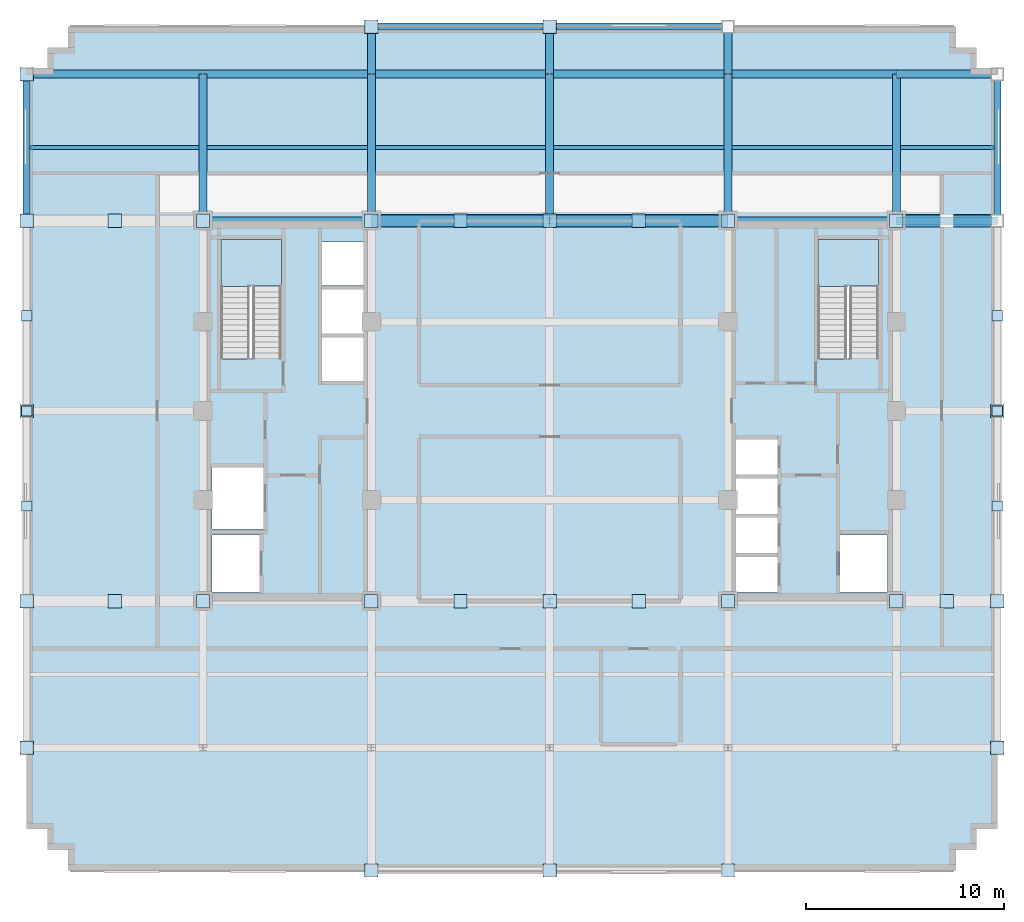
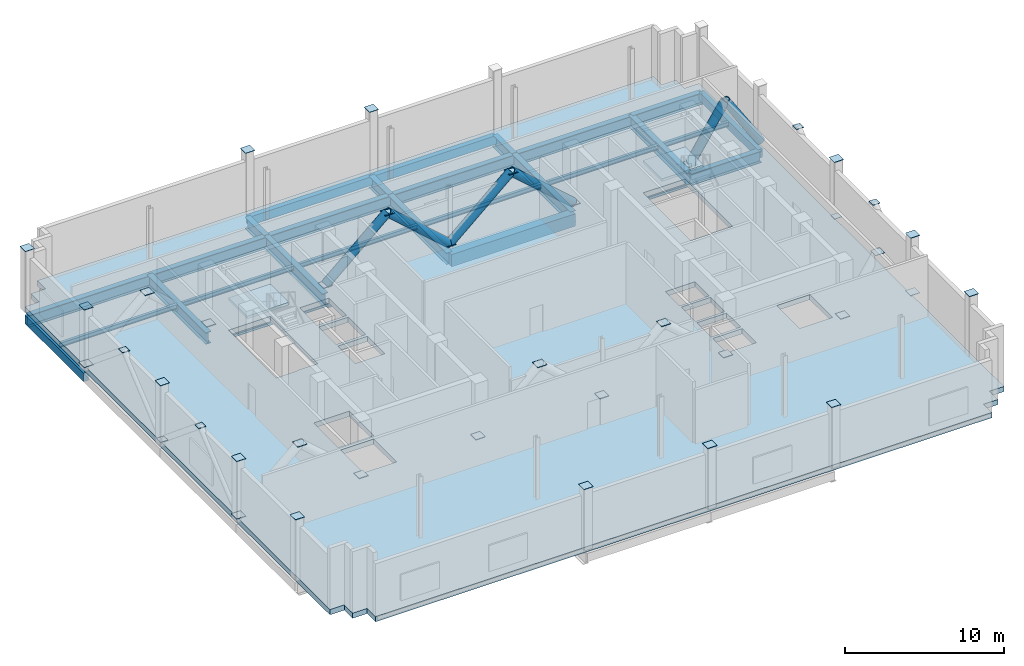
# One storey, part 6 of 13: 39 plates, 29 beams, 6 members, 3 slabs, 2 elements without a shape of their own.
"""IFC4 building model written with IfcOpenShell, lengths in metres."""

import ifcopenshell
import ifcopenshell.guid

model = None  # the IFC model being written
_history = None  # IfcOwnerHistory: only IFC2X3 demands one
_inside = {}  # id of a spatial element -> (the spatial element, [elements in it])
_under = {}  # id of a project, library or spatial element -> (it, [spatial elements below it])
_declared = {}  # id of a project -> (the project, [libraries it declares])
_typed = {}  # id of a type object -> (the type object, [elements of that type])
_made_of = {}  # id of a material, layer set ... -> (it, [elements and type objects made of it])


def new_model(schema):
    """Start an empty IFC model of exactly this schema.

    Asked for "IFC4X3", IfcOpenShell would pick the latest addendum, in which some entities
    have other attributes; the version numbers below select the first issue.
    IFC2X3 requires an IfcOwnerHistory on every rooted entity: one is made here for all.
    """
    global model, _history
    if schema == "IFC4X3":
        model = ifcopenshell.file(schema_version=(4, 3, 0, 0))
    else:
        model = ifcopenshell.file(schema=schema)
    _inside.clear()
    _under.clear()
    _declared.clear()
    _typed.clear()
    _made_of.clear()
    _history = None
    if model.schema == "IFC2X3":
        org = make("IfcOrganization", Name="unknown")
        user = make(
            "IfcPersonAndOrganization",
            ThePerson=make("IfcPerson", FamilyName="unknown"),
            TheOrganization=org,
        )
        app = make(
            "IfcApplication",
            ApplicationDeveloper=org,
            Version="unknown",
            ApplicationFullName="unknown",
            ApplicationIdentifier="unknown",
        )
        _history = make(
            "IfcOwnerHistory",
            OwningUser=user,
            OwningApplication=app,
            ChangeAction="ADDED",
            CreationDate=0,
        )
    return model


def make(cls, **values):
    """One entity of the class cls with the attributes given. An attribute that is None is left unset."""
    return model.create_entity(
        cls, **{name: value for name, value in values.items() if value is not None}
    )


def rooted(cls, **values):
    """An entity with a GlobalId (a new one), such as an element, a storey or a relation."""
    return make(cls, GlobalId=ifcopenshell.guid.new(), OwnerHistory=_history, **values)


def si_unit(unit_type, name, prefix=None):
    """IfcSIUnit, for example si_unit("LENGTHUNIT", "METRE", prefix="MILLI")."""
    return make("IfcSIUnit", UnitType=unit_type, Prefix=prefix, Name=name)


def assignment(units):
    """IfcUnitAssignment: the units of a project."""
    return None if units is None else make("IfcUnitAssignment", Units=units)


def point(xyz):
    """IfcCartesianPoint."""
    return None if xyz is None else make("IfcCartesianPoint", Coordinates=xyz)


def direction(xyz):
    """IfcDirection."""
    return None if xyz is None else make("IfcDirection", DirectionRatios=xyz)


def frame(location, z_axis=None, x_axis=None):
    """IfcAxis2Placement3D, a coordinate frame: its origin and axes. An axis left out is left unset."""
    return make(
        "IfcAxis2Placement3D",
        Location=point(location),
        Axis=direction(z_axis),
        RefDirection=direction(x_axis),
    )


def frame_2d(location, x_axis=None):
    """IfcAxis2Placement2D, a coordinate frame in the plane: its origin and x axis."""
    return make(
        "IfcAxis2Placement2D", Location=point(location), RefDirection=direction(x_axis)
    )


def origin():
    """The frame at (0, 0, 0) with its axes left unset."""
    return frame((0.0, 0.0, 0.0))


def origin_2d():
    """The frame at (0, 0) in the plane with its x axis left unset."""
    return frame_2d((0.0, 0.0))


def place(relative_to, where):
    """IfcLocalPlacement: puts the frame where relative to a parent placement (None: the world)."""
    return make(
        "IfcLocalPlacement", PlacementRelTo=relative_to, RelativePlacement=where
    )


def context(
    kind, dimensions, precision=None, world=None, true_north=None, identifier=None
):
    """IfcGeometricRepresentationContext, for example the 3D "Model" context."""
    return make(
        "IfcGeometricRepresentationContext",
        ContextIdentifier=identifier,
        ContextType=kind,
        CoordinateSpaceDimension=dimensions,
        Precision=precision,
        WorldCoordinateSystem=world,
        TrueNorth=true_north,
    )


def subcontext(parent, identifier, kind, view, scale=None):
    """IfcGeometricRepresentationSubContext, for example "Body" below "Model"."""
    return make(
        "IfcGeometricRepresentationSubContext",
        ContextIdentifier=identifier,
        ContextType=kind,
        ParentContext=parent,
        TargetScale=scale,
        TargetView=view,
    )


def project(units=None, contexts=None):
    """IfcProject with its units and contexts."""
    return rooted(
        "IfcProject",
        Name="project",
        RepresentationContexts=contexts,
        UnitsInContext=assignment(units),
    )


def spatial(cls, under=None, at=None, **own):
    """A site, building, storey or space (cls), placed at a placement, below another one or the project."""
    s = rooted(cls, ObjectPlacement=at, **own)
    if under is not None:
        _under.setdefault(under.id(), (under, []))[1].append(s)
    return s


def polyline(points):
    """IfcPolyline through the points."""
    return make("IfcPolyline", Points=[point(p) for p in points])


def profile(cls, at=None, kind="AREA", **sizes):
    """A parametric profile (cls). Its sizes go by their IFC names, for example OverallWidth=200.0."""
    return make(cls, ProfileType=kind, Position=at, **sizes)


def rectangle(**sizes):
    """IfcRectangleProfileDef."""
    return profile("IfcRectangleProfileDef", **sizes)


def hollow_circle(**sizes):
    """IfcCircleHollowProfileDef."""
    return profile("IfcCircleHollowProfileDef", **sizes)


def i_section(**sizes):
    """IfcIShapeProfileDef."""
    return profile("IfcIShapeProfileDef", **sizes)


def outline(outer, holes=None, kind="AREA"):
    """IfcArbitraryClosedProfileDef: a profile drawn as a closed curve; with holes, ...WithVoids."""
    if holes is None:
        return make("IfcArbitraryClosedProfileDef", ProfileType=kind, OuterCurve=outer)
    return make(
        "IfcArbitraryProfileDefWithVoids",
        ProfileType=kind,
        OuterCurve=outer,
        InnerCurves=holes,
    )


def extrude(swept, where, along, depth):
    """IfcExtrudedAreaSolid: the profile swept, set in the frame where, extruded along a direction by depth."""
    return make(
        "IfcExtrudedAreaSolid",
        SweptArea=swept,
        Position=where,
        ExtrudedDirection=direction(along),
        Depth=depth,
    )


def shape(context_of_items, identifier, shape_type, items):
    """IfcShapeRepresentation: the items that make up one representation, for example the "Body"."""
    return make(
        "IfcShapeRepresentation",
        ContextOfItems=context_of_items,
        RepresentationIdentifier=identifier,
        RepresentationType=shape_type,
        Items=items,
    )


def source(mapping_origin, context_of_items, identifier, shape_type, items):
    """IfcRepresentationMap: a shape defined once, which mapped items show again and again."""
    return make(
        "IfcRepresentationMap",
        MappingOrigin=mapping_origin,
        MappedRepresentation=shape(context_of_items, identifier, shape_type, items),
    )


def transform(
    local_origin,
    x_axis=None,
    y_axis=None,
    z_axis=None,
    scale=None,
    scale2=None,
    scale3=None,
    uniform=True,
):
    """IfcCartesianTransformationOperator3D, or its non-uniform kind. x_axis, y_axis, z_axis: its Axis1, 2, 3."""
    if uniform:
        return make(
            "IfcCartesianTransformationOperator3D",
            Axis1=direction(x_axis),
            Axis2=direction(y_axis),
            LocalOrigin=point(local_origin),
            Scale=scale,
            Axis3=direction(z_axis),
        )
    return make(
        "IfcCartesianTransformationOperator3DnonUniform",
        Axis1=direction(x_axis),
        Axis2=direction(y_axis),
        LocalOrigin=point(local_origin),
        Scale=scale,
        Axis3=direction(z_axis),
        Scale2=scale2,
        Scale3=scale3,
    )


def mapped(mapping_source, mapping_target):
    """IfcMappedItem: shows the shape of a source again, moved by a transform."""
    return make(
        "IfcMappedItem", MappingSource=mapping_source, MappingTarget=mapping_target
    )


def material(Name=None, Category=None):
    """IfcMaterial."""
    return make("IfcMaterial", Name=Name, Category=Category)


def layer(
    of_material, thickness, ventilated=None, Name=None, Category=None, Priority=None
):
    """IfcMaterialLayer: one layer of a wall or slab, of a material (None: an air gap)."""
    return make(
        "IfcMaterialLayer",
        Material=of_material,
        LayerThickness=thickness,
        IsVentilated=ventilated,
        Name=Name,
        Category=Category,
        Priority=Priority,
    )


def layer_set(layers, Name=None):
    """IfcMaterialLayerSet."""
    return make("IfcMaterialLayerSet", MaterialLayers=layers, LayerSetName=Name)


def material_profile(
    of_material, cross_section, Name=None, Category=None, Priority=None
):
    """IfcMaterialProfile: a cross section and its material."""
    return make(
        "IfcMaterialProfile",
        Name=Name,
        Material=of_material,
        Profile=cross_section,
        Priority=Priority,
        Category=Category,
    )


def profile_set(profiles, Name=None, composite=None):
    """IfcMaterialProfileSet."""
    return make(
        "IfcMaterialProfileSet",
        Name=Name,
        MaterialProfiles=profiles,
        CompositeProfile=composite,
    )


def made_of(thing, what):
    """Note that an element or type object is made of a material, layer set ...; save() writes the relation."""
    if what is not None:
        _made_of.setdefault(what.id(), (what, []))[1].append(thing)
    return thing


def type_object(cls, material=None, **own):
    """A type object (cls), such as IfcWallType, which elements share."""
    return made_of(rooted(cls, **own), material)


def type_shapes(of_type, sources):
    """Give a type object the sources (RepresentationMaps) that its elements show as mapped items."""
    of_type.RepresentationMaps = sources


def element(
    cls,
    number,
    at=None,
    inside=None,
    cuts=None,
    type_object=None,
    material=None,
    context=None,
    identifier="Body",
    shape_type=None,
    held_by="IfcProductDefinitionShape",
    body=None,
    shapes=None,
    **own,
):
    """One element of the class cls, such as IfcWall. Its Tag is "e" and its number.

    at: its placement. inside: the storey or other place that contains it. cuts: it is an
    opening in that element (IfcRelVoidsElement). A single representation is given by context,
    identifier, shape_type and body (its items); several are given by shapes. held_by: the class
    of the entity that holds the representations. save() writes the other relations.
    """
    e = rooted(cls, Tag="e%d" % number, ObjectPlacement=at, **own)
    if body is not None:
        shapes = [shape(context, identifier, shape_type, body)]
    if shapes is not None:
        e.Representation = make(held_by, Representations=shapes)
    if inside is not None:
        _inside.setdefault(inside.id(), (inside, []))[1].append(e)
    if cuts is not None:
        rooted(
            "IfcRelVoidsElement", RelatingBuildingElement=cuts, RelatedOpeningElement=e
        )
    if type_object is not None:
        _typed.setdefault(type_object.id(), (type_object, []))[1].append(e)
    return made_of(e, material)


def aggregate(whole, parts):
    """IfcRelAggregates: a whole, such as a stair, and the parts it consists of."""
    return rooted("IfcRelAggregates", RelatingObject=whole, RelatedObjects=parts)


def save(model, path):
    """Write the relations noted so far, then the file.

    IfcRelAggregates (storeys below a building ...), IfcRelContainedInSpatialStructure (elements
    in a storey), IfcRelDefinesByType, IfcRelAssociatesMaterial and IfcRelDeclares: one each for
    every whole, place, type object, material and project.
    """
    for whole, parts in _under.values():
        aggregate(whole, parts)
    for where, things in _inside.values():
        rooted(
            "IfcRelContainedInSpatialStructure",
            RelatedElements=things,
            RelatingStructure=where,
        )
    for kind, things in _typed.values():
        rooted("IfcRelDefinesByType", RelatedObjects=things, RelatingType=kind)
    for what, things in _made_of.values():
        rooted("IfcRelAssociatesMaterial", RelatedObjects=things, RelatingMaterial=what)
    for by, libraries in _declared.values():
        rooted("IfcRelDeclares", RelatingContext=by, RelatedDefinitions=libraries)
    model.write(path)


model = new_model("IFC4")

# Units and contexts
model_context = context("Model", 3, precision=1e-05, world=origin(), true_north=direction((0.0, 1.0)))
body_context = subcontext(model_context, "Body", "Model", "MODEL_VIEW")
ifc_project = project(units=[si_unit("LENGTHUNIT", "METRE"), si_unit("AREAUNIT", "SQUARE_METRE"), si_unit("VOLUMEUNIT", "CUBIC_METRE"), si_unit("PLANEANGLEUNIT", "RADIAN"), si_unit("MASSUNIT", "GRAM", prefix="KILO")], contexts=[model_context])

# Site, building, storey
site_placement = place(None, origin())
site = spatial("IfcSite", under=ifc_project, at=site_placement, CompositionType="ELEMENT")
building_placement = place(site_placement, origin())
building = spatial("IfcBuilding", under=site, at=building_placement, Name="Nuvemarco Arch Tower", CompositionType="ELEMENT")
storey_placement = place(building_placement, frame((0.0, 0.0, 185.89990234375)))
storey = spatial("IfcBuildingStorey", under=building, at=storey_placement, Name="L49", CompositionType="ELEMENT", Elevation=185.89990234375)

# Beams
ifc_material_1 = material(Name="Concrete C60/75", Category="concrete")
ifc_material_profile_1 = material_profile(ifc_material_1, rectangle(XDim=0.60009765625, YDim=0.949951171875, at=origin_2d()), Name="RC-BM-600x950")
ifc_profile_set_1 = profile_set([ifc_material_profile_1], Name="Concrete C60/75")
beam_type_1 = type_object("IfcBeamType", Name="BM-COUP-RC", PredefinedType="LINTEL", material=ifc_profile_set_1)
for number, where, z_axis, x_axis, name in (
    (1, (-9.0, 9.60009765625, -0.875), (1.0, 0.0, 0.0), (0.0, 1.0, 0.0), "L49 structural beam BGEW_L49_0_+9.6_-9.0"),
    (2, (0.0, 9.60009765625, -0.875), (1.0, 0.0, 0.0), (0.0, 1.0, 0.0), "L49 structural beam BGEW_L49_0_+9.6_+0.0"),
):
    element("IfcBeam", number, at=place(storey_placement, frame(where, z_axis=z_axis, x_axis=x_axis)), inside=storey, type_object=beam_type_1, Name=name, PredefinedType="LINTEL", context=body_context, shape_type="SweptSolid", body=[
        extrude(rectangle(XDim=0.60009765625, YDim=0.949951171875, at=origin_2d()), origin(), (0.0, 0.0, 1.0), 9.0),
    ])
ifc_material_2 = material(Name="Steel S355", Category="steel")
ifc_material_profile_2 = material_profile(ifc_material_2, i_section(OverallWidth=0.39990234375, OverallDepth=0.89990234375, WebThickness=0.02197265625, FlangeThickness=0.035888671875, FilletRadius=0.01611328125, at=origin_2d()), Name="PG900x400")
ifc_profile_set_2 = profile_set([ifc_material_profile_2], Name="Steel S355")
beam_type_2 = type_object("IfcBeamType", Name="BM-GIRD-900", PredefinedType="BEAM", material=ifc_profile_set_2)
for number, where, z_axis, x_axis, name in (
    (3, (-17.5, 9.60009765625, -0.849853515625), (0.0, 1.0, 0.0), (-1.0, 0.0, 0.0), "L49 structural beam BGNS_L49_0_-17.5_+9.6"),
    (4, (-9.0, 9.60009765625, -0.849853515625), (0.0, 1.0, 0.0), (-1.0, 0.0, 0.0), "L49 structural beam BGNS_L49_0_-9.0_+9.6"),
):
    element("IfcBeam", number, at=place(storey_placement, frame(where, z_axis=z_axis, x_axis=x_axis)), inside=storey, type_object=beam_type_2, Name=name, PredefinedType="BEAM", context=body_context, shape_type="SweptSolid", body=[
        extrude(i_section(OverallWidth=0.39990234375, OverallDepth=0.89990234375, WebThickness=0.02197265625, FlangeThickness=0.035888671875, FilletRadius=0.01611328125, at=origin_2d()), origin(), (0.0, 0.0, 1.0), 7.39990234375),
    ])
beam_1_placement = place(storey_placement, frame((-9.0, 17.0, -0.849853515625), z_axis=(0.0, 1.0, 0.0), x_axis=(-1.0, 0.0, 0.0)))
element("IfcBeam", 5, at=beam_1_placement, inside=storey, type_object=beam_type_2, Name="L49 structural beam BGNS_L49_0_-9.0_+17.0", PredefinedType="BEAM", context=body_context, shape_type="SweptSolid", body=[
    extrude(i_section(OverallWidth=0.39990234375, OverallDepth=0.89990234375, WebThickness=0.02197265625, FlangeThickness=0.035888671875, FilletRadius=0.01611328125, at=origin_2d()), origin(), (0.0, 0.0, 1.0), 2.39990234375),
])
beam_2_placement = place(storey_placement, frame((0.0, 9.60009765625, -0.849853515625), z_axis=(0.0, 1.0, 0.0), x_axis=(-1.0, 0.0, 0.0)))
element("IfcBeam", 6, at=beam_2_placement, inside=storey, type_object=beam_type_2, Name="L49 structural beam BGNS_L49_0_+0.0_+9.6", PredefinedType="BEAM", context=body_context, shape_type="SweptSolid", body=[
    extrude(i_section(OverallWidth=0.39990234375, OverallDepth=0.89990234375, WebThickness=0.02197265625, FlangeThickness=0.035888671875, FilletRadius=0.01611328125, at=origin_2d()), origin(), (0.0, 0.0, 1.0), 7.39990234375),
])
beam_3_placement = place(storey_placement, frame((0.0, 17.0, -0.849853515625), z_axis=(0.0, 1.0, 0.0), x_axis=(-1.0, 0.0, 0.0)))
element("IfcBeam", 7, at=beam_3_placement, inside=storey, type_object=beam_type_2, Name="L49 structural beam BGNS_L49_0_+0.0_+17.0", PredefinedType="BEAM", context=body_context, shape_type="SweptSolid", body=[
    extrude(i_section(OverallWidth=0.39990234375, OverallDepth=0.89990234375, WebThickness=0.02197265625, FlangeThickness=0.035888671875, FilletRadius=0.01611328125, at=origin_2d()), origin(), (0.0, 0.0, 1.0), 2.39990234375),
])
beam_4_placement = place(storey_placement, frame((9.0, 9.60009765625, -0.849853515625), z_axis=(0.0, 1.0, 0.0), x_axis=(-1.0, 0.0, 0.0)))
element("IfcBeam", 8, at=beam_4_placement, inside=storey, type_object=beam_type_2, Name="L49 structural beam BGNS_L49_0_+9.0_+9.6", PredefinedType="BEAM", context=body_context, shape_type="SweptSolid", body=[
    extrude(i_section(OverallWidth=0.39990234375, OverallDepth=0.89990234375, WebThickness=0.02197265625, FlangeThickness=0.035888671875, FilletRadius=0.01611328125, at=origin_2d()), origin(), (0.0, 0.0, 1.0), 7.39990234375),
])
beam_5_placement = place(storey_placement, frame((9.0, 17.0, -0.849853515625), z_axis=(0.0, 1.0, 0.0), x_axis=(-1.0, 0.0, 0.0)))
element("IfcBeam", 9, at=beam_5_placement, inside=storey, type_object=beam_type_2, Name="L49 structural beam BGNS_L49_0_+9.0_+17.0", PredefinedType="BEAM", context=body_context, shape_type="SweptSolid", body=[
    extrude(i_section(OverallWidth=0.39990234375, OverallDepth=0.89990234375, WebThickness=0.02197265625, FlangeThickness=0.035888671875, FilletRadius=0.01611328125, at=origin_2d()), origin(), (0.0, 0.0, 1.0), 2.39990234375),
])
beam_6_placement = place(storey_placement, frame((17.5, 9.60009765625, -0.849853515625), z_axis=(0.0, 1.0, 0.0), x_axis=(-1.0, 0.0, 0.0)))
element("IfcBeam", 10, at=beam_6_placement, inside=storey, type_object=beam_type_2, Name="L49 structural beam BGNS_L49_0_+17.5_+9.6", PredefinedType="BEAM", context=body_context, shape_type="SweptSolid", body=[
    extrude(i_section(OverallWidth=0.39990234375, OverallDepth=0.89990234375, WebThickness=0.02197265625, FlangeThickness=0.035888671875, FilletRadius=0.01611328125, at=origin_2d()), origin(), (0.0, 0.0, 1.0), 7.39990234375),
])
for number, where, z_axis, x_axis, name in (
    (11, (-17.5, 9.60009765625, -0.849853515625), (1.0, 0.0, 0.0), (0.0, 1.0, 0.0), "L49 structural beam BGEW_L49_0_+9.6_-17.5"),
    (12, (9.0, 9.60009765625, -0.849853515625), (1.0, 0.0, 0.0), (0.0, 1.0, 0.0), "L49 structural beam BGEW_L49_0_+9.6_+9.0"),
):
    element("IfcBeam", number, at=place(storey_placement, frame(where, z_axis=z_axis, x_axis=x_axis)), inside=storey, type_object=beam_type_2, Name=name, PredefinedType="BEAM", context=body_context, shape_type="SweptSolid", body=[
        extrude(i_section(OverallWidth=0.39990234375, OverallDepth=0.89990234375, WebThickness=0.02197265625, FlangeThickness=0.035888671875, FilletRadius=0.01611328125, at=origin_2d()), origin(), (0.0, 0.0, 1.0), 8.5),
    ])
beam_7_placement = place(storey_placement, frame((17.5, 9.60009765625, -0.849853515625), z_axis=(1.0, 0.0, 0.0), x_axis=(0.0, 1.0, 0.0)))
element("IfcBeam", 13, at=beam_7_placement, inside=storey, type_object=beam_type_2, Name="L49 structural beam BGEW_L49_0_+9.6_+17.5", PredefinedType="BEAM", context=body_context, shape_type="SweptSolid", body=[
    extrude(i_section(OverallWidth=0.39990234375, OverallDepth=0.89990234375, WebThickness=0.02197265625, FlangeThickness=0.035888671875, FilletRadius=0.01611328125, at=origin_2d()), origin(), (0.0, 0.0, 1.0), 5.10009765625),
])
beam_8_placement = place(storey_placement, frame((-26.39990234375, 17.0, -0.849853515625), z_axis=(1.0, 0.0, 0.0), x_axis=(0.0, 1.0, 0.0)))
element("IfcBeam", 14, at=beam_8_placement, inside=storey, type_object=beam_type_2, Name="L49 structural beam BGEW_L49_0_+17.0_-26.4", PredefinedType="BEAM", context=body_context, shape_type="SweptSolid", body=[
    extrude(i_section(OverallWidth=0.39990234375, OverallDepth=0.89990234375, WebThickness=0.02197265625, FlangeThickness=0.035888671875, FilletRadius=0.01611328125, at=origin_2d()), origin(), (0.0, 0.0, 1.0), 8.89990234375),
])
beam_9_placement = place(storey_placement, frame((-17.5, 17.0, -0.849853515625), z_axis=(1.0, 0.0, 0.0), x_axis=(0.0, 1.0, 0.0)))
element("IfcBeam", 15, at=beam_9_placement, inside=storey, type_object=beam_type_2, Name="L49 structural beam BGEW_L49_0_+17.0_-17.5", PredefinedType="BEAM", context=body_context, shape_type="SweptSolid", body=[
    extrude(i_section(OverallWidth=0.39990234375, OverallDepth=0.89990234375, WebThickness=0.02197265625, FlangeThickness=0.035888671875, FilletRadius=0.01611328125, at=origin_2d()), origin(), (0.0, 0.0, 1.0), 8.5),
])
for number, where, z_axis, x_axis, name in (
    (16, (-9.0, 17.0, -0.849853515625), (1.0, 0.0, 0.0), (0.0, 1.0, 0.0), "L49 structural beam BGEW_L49_0_+17.0_-9.0"),
    (17, (0.0, 17.0, -0.849853515625), (1.0, 0.0, 0.0), (0.0, 1.0, 0.0), "L49 structural beam BGEW_L49_0_+17.0_+0.0"),
):
    element("IfcBeam", number, at=place(storey_placement, frame(where, z_axis=z_axis, x_axis=x_axis)), inside=storey, type_object=beam_type_2, Name=name, PredefinedType="BEAM", context=body_context, shape_type="SweptSolid", body=[
        extrude(i_section(OverallWidth=0.39990234375, OverallDepth=0.89990234375, WebThickness=0.02197265625, FlangeThickness=0.035888671875, FilletRadius=0.01611328125, at=origin_2d()), origin(), (0.0, 0.0, 1.0), 9.0),
    ])
beam_10_placement = place(storey_placement, frame((9.0, 17.0, -0.849853515625), z_axis=(1.0, 0.0, 0.0), x_axis=(0.0, 1.0, 0.0)))
element("IfcBeam", 18, at=beam_10_placement, inside=storey, type_object=beam_type_2, Name="L49 structural beam BGEW_L49_0_+17.0_+9.0", PredefinedType="BEAM", context=body_context, shape_type="SweptSolid", body=[
    extrude(i_section(OverallWidth=0.39990234375, OverallDepth=0.89990234375, WebThickness=0.02197265625, FlangeThickness=0.035888671875, FilletRadius=0.01611328125, at=origin_2d()), origin(), (0.0, 0.0, 1.0), 8.5),
])
beam_11_placement = place(storey_placement, frame((17.5, 17.0, -0.849853515625), z_axis=(1.0, 0.0, 0.0), x_axis=(0.0, 1.0, 0.0)))
element("IfcBeam", 19, at=beam_11_placement, inside=storey, type_object=beam_type_2, Name="L49 structural beam BGEW_L49_0_+17.0_+17.5", PredefinedType="BEAM", context=body_context, shape_type="SweptSolid", body=[
    extrude(i_section(OverallWidth=0.39990234375, OverallDepth=0.89990234375, WebThickness=0.02197265625, FlangeThickness=0.035888671875, FilletRadius=0.01611328125, at=origin_2d()), origin(), (0.0, 0.0, 1.0), 5.10009765625),
])
ifc_material_profile_3 = material_profile(ifc_material_2, i_section(OverallWidth=0.202880859375, OverallDepth=0.346923828125, WebThickness=0.0078125, FlangeThickness=0.013427734375, FilletRadius=0.014892578125, at=origin_2d()), Name="W360x64")
ifc_profile_set_3 = profile_set([ifc_material_profile_3], Name="Steel S355")
beam_type_3 = type_object("IfcBeamType", Name="BM-JOIST-360", PredefinedType="JOIST", material=ifc_profile_set_3)
beam_12_placement = place(storey_placement, frame((-26.22509765625, 13.300048828125, -0.573486328125), z_axis=(1.0, 0.0, 0.0), x_axis=(0.0, 1.0, 0.0)))
element("IfcBeam", 20, at=beam_12_placement, inside=storey, type_object=beam_type_3, Name="L49 structural beam BJ_L49_0_+13.3_-26.4", PredefinedType="JOIST", context=body_context, shape_type="SweptSolid", body=[
    extrude(i_section(OverallWidth=0.202880859375, OverallDepth=0.346923828125, WebThickness=0.0078125, FlangeThickness=0.013427734375, FilletRadius=0.014892578125, at=origin_2d()), origin(), (0.0, 0.0, 1.0), 8.525146484375),
])
beam_13_placement = place(storey_placement, frame((-17.300048828125, 13.300048828125, -0.573486328125), z_axis=(1.0, 0.0, 0.0), x_axis=(0.0, 1.0, 0.0)))
element("IfcBeam", 21, at=beam_13_placement, inside=storey, type_object=beam_type_3, Name="L49 structural beam BJ_L49_0_+13.3_-17.5", PredefinedType="JOIST", context=body_context, shape_type="SweptSolid", body=[
    extrude(i_section(OverallWidth=0.202880859375, OverallDepth=0.346923828125, WebThickness=0.0078125, FlangeThickness=0.013427734375, FilletRadius=0.014892578125, at=origin_2d()), origin(), (0.0, 0.0, 1.0), 8.10009765625),
])
for number, where, z_axis, x_axis, name in (
    (22, (-8.800048828125, 13.300048828125, -0.573486328125), (1.0, 0.0, 0.0), (0.0, 1.0, 0.0), "L49 structural beam BJ_L49_0_+13.3_-9.0"),
    (23, (0.199951171875, 13.300048828125, -0.573486328125), (1.0, 0.0, 0.0), (0.0, 1.0, 0.0), "L49 structural beam BJ_L49_0_+13.3_+0.0"),
):
    element("IfcBeam", number, at=place(storey_placement, frame(where, z_axis=z_axis, x_axis=x_axis)), inside=storey, type_object=beam_type_3, Name=name, PredefinedType="JOIST", context=body_context, shape_type="SweptSolid", body=[
        extrude(i_section(OverallWidth=0.202880859375, OverallDepth=0.346923828125, WebThickness=0.0078125, FlangeThickness=0.013427734375, FilletRadius=0.014892578125, at=origin_2d()), origin(), (0.0, 0.0, 1.0), 8.60009765625),
    ])
beam_14_placement = place(storey_placement, frame((9.199951171875, 13.300048828125, -0.573486328125), z_axis=(1.0, 0.0, 0.0), x_axis=(0.0, 1.0, 0.0)))
element("IfcBeam", 24, at=beam_14_placement, inside=storey, type_object=beam_type_3, Name="L49 structural beam BJ_L49_0_+13.3_+9.0", PredefinedType="JOIST", context=body_context, shape_type="SweptSolid", body=[
    extrude(i_section(OverallWidth=0.202880859375, OverallDepth=0.346923828125, WebThickness=0.0078125, FlangeThickness=0.013427734375, FilletRadius=0.014892578125, at=origin_2d()), origin(), (0.0, 0.0, 1.0), 8.10009765625),
])
beam_15_placement = place(storey_placement, frame((17.699951171875, 13.300048828125, -0.573486328125), z_axis=(1.0, 0.0, 0.0), x_axis=(0.0, 1.0, 0.0)))
element("IfcBeam", 25, at=beam_15_placement, inside=storey, type_object=beam_type_3, Name="L49 structural beam BJ_L49_0_+13.3_+17.5", PredefinedType="JOIST", context=body_context, shape_type="SweptSolid", body=[
    extrude(i_section(OverallWidth=0.202880859375, OverallDepth=0.346923828125, WebThickness=0.0078125, FlangeThickness=0.013427734375, FilletRadius=0.014892578125, at=origin_2d()), origin(), (0.0, 0.0, 1.0), 4.72509765625),
])
ifc_material_3 = material(Name="Precast concrete C45/55", Category="concrete")
ifc_material_profile_4 = material_profile(ifc_material_3, rectangle(XDim=0.35009765625, YDim=0.64990234375, at=origin_2d()), Name="PC-SP-350x650")
ifc_profile_set_4 = profile_set([ifc_material_profile_4], Name="Precast concrete C45/55")
beam_type_4 = type_object("IfcBeamType", Name="BM-SPAN-RC", PredefinedType="SPANDREL", material=ifc_profile_set_4)
for number, where, z_axis, x_axis, name in (
    (26, (-26.39990234375, 9.60009765625, -0.724853515625), (0.0, 1.0, 0.0), (-1.0, 0.0, 0.0), "L49 structural beam BGNS_L49_0_-26.4_+9.6"),
    (27, (22.60009765625, 9.60009765625, -0.724853515625), (0.0, 1.0, 0.0), (-1.0, 0.0, 0.0), "L49 structural beam BGNS_L49_0_+22.6_+9.6"),
):
    element("IfcBeam", number, at=place(storey_placement, frame(where, z_axis=z_axis, x_axis=x_axis)), inside=storey, type_object=beam_type_4, Name=name, PredefinedType="SPANDREL", context=body_context, shape_type="SweptSolid", body=[
        extrude(rectangle(XDim=0.35009765625, YDim=0.64990234375, at=origin_2d()), origin(), (0.0, 0.0, 1.0), 7.39990234375),
    ])
for number, where, z_axis, x_axis, name in (
    (28, (-9.0, 19.39990234375, -0.724853515625), (1.0, 0.0, 0.0), (0.0, 1.0, 0.0), "L49 structural beam BGEW_L49_0_+19.4_-9.0"),
    (29, (0.0, 19.39990234375, -0.724853515625), (1.0, 0.0, 0.0), (0.0, 1.0, 0.0), "L49 structural beam BGEW_L49_0_+19.4_+0.0"),
):
    element("IfcBeam", number, at=place(storey_placement, frame(where, z_axis=z_axis, x_axis=x_axis)), inside=storey, type_object=beam_type_4, Name=name, PredefinedType="SPANDREL", context=body_context, shape_type="SweptSolid", body=[
        extrude(rectangle(XDim=0.35009765625, YDim=0.64990234375, at=origin_2d()), origin(), (0.0, 0.0, 1.0), 9.0),
    ])

# Members
ifc_material_profile_5 = material_profile(ifc_material_2, hollow_circle(Radius=0.304931640625, WallThickness=0.0400390625, at=origin_2d()), Name="CHS610x40")
ifc_profile_set_5 = profile_set([ifc_material_profile_5], Name="Steel S355")
member_type = type_object("IfcMemberType", Name="MB-OUTRIGGER-2", PredefinedType="BRACE", material=ifc_profile_set_5)
for number, where, z_axis, x_axis, name in (
    (30, (17.5, 9.60009765625, 0.300048828125), (0.54044635446, 0.0, 0.841378474856), (0.0, 1.0, 0.0), "L49 outrigger truss brace east 1"),
    (31, (20.050048828125, 9.60009765625, 4.27001953125), (0.54044635446, 0.0, -0.841378474856), (0.0, 1.0, 0.0), "L49 outrigger truss brace east 2"),
):
    element("IfcMember", number, at=place(storey_placement, frame(where, z_axis=z_axis, x_axis=x_axis)), inside=storey, type_object=member_type, Name=name, PredefinedType="BRACE", context=body_context, shape_type="SweptSolid", body=[
        extrude(hollow_circle(Radius=0.304931640625, WallThickness=0.0400390625, at=origin_2d()), origin(), (0.0, 0.0, 1.0), 4.718505859375),
    ])
for number, where, z_axis, x_axis, name in (
    (32, (-9.0, 9.60009765625, 0.300048828125), (0.749888906109, 0.0, 0.661563775078), (0.0, 1.0, 0.0), "L49 central outrigger link truss brace 1"),
    (33, (-4.5, 9.60009765625, 4.27001953125), (0.749888906109, 0.0, -0.661563775078), (0.0, 1.0, 0.0), "L49 central outrigger link truss brace 2"),
    (34, (0.0, 9.60009765625, 0.300048828125), (0.749888906109, 0.0, 0.661563775078), (0.0, 1.0, 0.0), "L49 central outrigger link truss brace 3"),
    (35, (4.5, 9.60009765625, 4.27001953125), (0.749888906109, 0.0, -0.661563775078), (0.0, 1.0, 0.0), "L49 central outrigger link truss brace 4"),
):
    element("IfcMember", number, at=place(storey_placement, frame(where, z_axis=z_axis, x_axis=x_axis)), inside=storey, type_object=member_type, Name=name, PredefinedType="BRACE", context=body_context, shape_type="SweptSolid", body=[
        extrude(hollow_circle(Radius=0.304931640625, WallThickness=0.0400390625, at=origin_2d()), origin(), (0.0, 0.0, 1.0), 6.0009765625),
    ])

# Slab
ifc_layer_1 = layer(ifc_material_1, 0.39990234375, Name="SL-FLR-400")
ifc_layer_set_1 = layer_set([ifc_layer_1], Name="Concrete C60/75")
slab_type_1 = type_object("IfcSlabType", Name="SL-FLR-400", PredefinedType="FLOOR", material=ifc_layer_set_1)
slab_1_placement = place(storey_placement, frame((0.0, 0.0, -0.39990234375)))
element("IfcSlab", 36, at=slab_1_placement, inside=storey, type_object=slab_type_1, Name="L49 structural floor slab", PredefinedType="FLOOR", context=body_context, shape_type="SweptSolid", body=[
    extrude(outline(polyline([(-24.300048828125, -23.199951171875), (20.5, -23.199951171875), (20.5, -22.14990234375), (21.550048828125, -22.14990234375), (21.550048828125, -21.10009765625), (22.60009765625, -21.10009765625), (22.60009765625, 17.300048828125), (21.550048828125, 17.300048828125), (21.550048828125, 18.35009765625), (20.5, 18.35009765625), (20.5, 19.39990234375), (-24.300048828125, 19.39990234375), (-24.300048828125, 18.35009765625), (-25.35009765625, 18.35009765625), (-25.35009765625, 17.300048828125), (-26.39990234375, 17.300048828125), (-26.39990234375, -21.10009765625), (-25.35009765625, -21.10009765625), (-25.35009765625, -22.14990234375), (-24.300048828125, -22.14990234375), (-24.300048828125, -23.199951171875)]), holes=[polyline([(-13.5400390625, 2.669921875), (-13.5400390625, 8.64990234375), (-16.60009765625, 8.64990234375), (-16.60009765625, 2.630615234375), (-15.070068359375, 2.630615234375), (-15.070068359375, 2.669921875), (-13.5400390625, 2.669921875)]), polyline([(16.60009765625, 2.669921875), (16.60009765625, 8.64990234375), (13.5400390625, 8.64990234375), (13.5400390625, 2.630615234375), (15.070068359375, 2.630615234375), (15.070068359375, 2.669921875), (16.60009765625, 2.669921875)]), polyline([(-17.050048828125, -9.14990234375), (-14.64990234375, -9.14990234375), (-14.64990234375, -6.25), (-17.050048828125, -6.25), (-17.050048828125, -9.14990234375)]), polyline([(-17.050048828125, -5.949951171875), (-14.449951171875, -5.949951171875), (-14.449951171875, -2.85009765625), (-17.050048828125, -2.85009765625), (-17.050048828125, -5.949951171875)]), polyline([(-11.5, 1.5), (-9.35009765625, 1.5), (-9.35009765625, 3.699951171875), (-11.5, 3.699951171875), (-11.5, 1.5)]), polyline([(-11.5, 3.919921875), (-9.35009765625, 3.919921875), (-9.35009765625, 6.1201171875), (-11.5, 6.1201171875), (-11.5, 3.919921875)]), polyline([(-11.5, 6.340087890625), (-9.35009765625, 6.340087890625), (-9.35009765625, 8.5400390625), (-11.5, 8.5400390625), (-11.5, 6.340087890625)]), polyline([(14.64990234375, -9.14990234375), (17.050048828125, -9.14990234375), (17.050048828125, -6.25), (14.64990234375, -6.25), (14.64990234375, -9.14990234375)]), polyline([(9.35009765625, -9.14990234375), (11.5, -9.14990234375), (11.5, -7.3701171875), (9.35009765625, -7.3701171875), (9.35009765625, -9.14990234375)]), polyline([(9.35009765625, -7.169921875), (11.5, -7.169921875), (11.5, -5.389892578125), (9.35009765625, -5.389892578125), (9.35009765625, -7.169921875)]), polyline([(9.35009765625, -5.18994140625), (11.5, -5.18994140625), (11.5, -3.409912109375), (9.35009765625, -3.409912109375), (9.35009765625, -5.18994140625)]), polyline([(9.35009765625, -3.2099609375), (11.5, -3.2099609375), (11.5, -1.429931640625), (9.35009765625, -1.429931640625), (9.35009765625, -3.2099609375)])]), origin(), (0.0, 0.0, 1.0), 0.39990234375),
])

# Stair, slab
stair_type = type_object("IfcStairType", Name="ST-CORE-28R", PredefinedType="HALF_TURN_STAIR", material=ifc_material_3)
stair_1_placement = place(storey_placement, origin())
stair_1 = element("IfcStair", 37, at=stair_1_placement, inside=storey, type_object=stair_type, Name="L49 Protected Exit Stair ST-1", PredefinedType="HALF_TURN_STAIR")
ifc_layer_2 = layer(ifc_material_3, 0.199951171875, Name="SL-LANDING-200")
ifc_layer_set_2 = layer_set([ifc_layer_2], Name="Precast concrete C45/55")
slab_type_2 = type_object("IfcSlabType", Name="SL-LANDING-200", PredefinedType="LANDING", material=ifc_layer_set_2)
slab_2_placement = place(storey_placement, frame((0.0, 0.0, 2.300048828125)))
slab_2 = element("IfcSlab", 38, at=slab_2_placement, type_object=slab_type_2, Name="ST-28R landing 1", PredefinedType="LANDING", context=body_context, shape_type="SweptSolid", body=[
    extrude(outline(polyline([(-13.5400390625, 6.309326171875), (-13.5400390625, 8.64990234375), (-16.60009765625, 8.64990234375), (-16.60009765625, 6.2900390625), (-15.070068359375, 6.2900390625), (-15.070068359375, 6.309326171875), (-13.5400390625, 6.309326171875)])), origin(), (0.0, 0.0, 1.0), 0.199951171875),
])
aggregate(stair_1, [slab_2])

stair_2_placement = place(storey_placement, origin())
stair_2 = element("IfcStair", 39, at=stair_2_placement, inside=storey, type_object=stair_type, Name="L49 Protected Exit Stair ST-2", PredefinedType="HALF_TURN_STAIR")
slab_3_placement = place(storey_placement, frame((0.0, 0.0, 2.300048828125)))
slab_3 = element("IfcSlab", 40, at=slab_3_placement, type_object=slab_type_2, Name="ST-28R landing 1", PredefinedType="LANDING", context=body_context, shape_type="SweptSolid", body=[
    extrude(outline(polyline([(16.60009765625, 6.309326171875), (16.60009765625, 8.64990234375), (13.5400390625, 8.64990234375), (13.5400390625, 6.2900390625), (15.070068359375, 6.2900390625), (15.070068359375, 6.309326171875), (16.60009765625, 6.309326171875)])), origin(), (0.0, 0.0, 1.0), 0.199951171875),
])
aggregate(stair_2, [slab_3])

# Plates
ifc_layer_3 = layer(ifc_material_2, 0.030029296875, Name="PL-CAP-650")
ifc_layer_set_3 = layer_set([ifc_layer_3], Name="Steel S355")
plate_type_1 = type_object("IfcPlateType", Name="PL-CAP-650", PredefinedType="SHEET", material=ifc_layer_set_3)
shared_shape_1 = source(origin(), body_context, "Body", "SweptSolid", [
    extrude(rectangle(XDim=0.669921875, YDim=0.669921875, at=origin_2d()), origin(), (0.0, 0.0, 1.0), 0.030029296875),
])
type_shapes(plate_type_1, [shared_shape_1])
for number, where, z_axis, x_axis, name in (
    (41, (-26.39990234375, -9.60009765625, 0.28515625), (0.0, 0.0, 1.0), (1.0, 0.0, 0.0), "Hollow steel end-cap plate OTR_W_L49_-9.6_0_C0"),
    (42, (-21.949951171875, -9.60009765625, 4.2548828125), (0.0, 0.0, 1.0), (1.0, 0.0, 0.0), "Hollow steel end-cap plate OTR_W_L49_-9.6_0_C1"),
    (43, (-17.5, -9.60009765625, 0.28515625), (0.0, 0.0, 1.0), (1.0, 0.0, 0.0), "Hollow steel end-cap plate OTR_W_L49_-9.6_1_C1"),
    (44, (17.5, -9.60009765625, 0.28515625), (0.0, 0.0, 1.0), (1.0, 0.0, 0.0), "Hollow steel end-cap plate OTR_E_L49_-9.6_0_C0"),
    (45, (20.050048828125, -9.60009765625, 4.2548828125), (0.0, 0.0, 1.0), (1.0, 0.0, 0.0), "Hollow steel end-cap plate OTR_E_L49_-9.6_0_C1"),
    (46, (22.60009765625, -9.60009765625, 0.28515625), (0.0, 0.0, 1.0), (1.0, 0.0, 0.0), "Hollow steel end-cap plate OTR_E_L49_-9.6_1_C1"),
    (47, (-9.0, -9.60009765625, 0.28515625), (0.0, 0.0, 1.0), (1.0, 0.0, 0.0), "Hollow steel end-cap plate OTR_C_L49_-9.6_0_C0"),
    (48, (-4.5, -9.60009765625, 4.2548828125), (0.0, 0.0, 1.0), (1.0, 0.0, 0.0), "Hollow steel end-cap plate OTR_C_L49_-9.6_0_C1"),
    (49, (0.0, -9.60009765625, 0.28515625), (0.0, 0.0, 1.0), (1.0, 0.0, 0.0), "Hollow steel end-cap plate OTR_C_L49_-9.6_1_C1"),
    (50, (4.5, -9.60009765625, 4.2548828125), (0.0, 0.0, 1.0), (1.0, 0.0, 0.0), "Hollow steel end-cap plate OTR_C_L49_-9.6_2_C1"),
    (51, (9.0, -9.60009765625, 0.28515625), (0.0, 0.0, 1.0), (1.0, 0.0, 0.0), "Hollow steel end-cap plate OTR_C_L49_-9.6_3_C1"),
    (52, (-26.39990234375, 9.60009765625, 0.28515625), (0.0, 0.0, 1.0), (1.0, 0.0, 0.0), "Hollow steel end-cap plate OTR_W_L49_+9.6_0_C0"),
    (53, (-21.949951171875, 9.60009765625, 4.2548828125), (0.0, 0.0, 1.0), (1.0, 0.0, 0.0), "Hollow steel end-cap plate OTR_W_L49_+9.6_0_C1"),
    (54, (-17.5, 9.60009765625, 0.28515625), (0.0, 0.0, 1.0), (1.0, 0.0, 0.0), "Hollow steel end-cap plate OTR_W_L49_+9.6_1_C1"),
    (55, (17.5, 9.60009765625, 0.28515625), (0.0, 0.0, 1.0), (1.0, 0.0, 0.0), "Hollow steel end-cap plate OTR_E_L49_+9.6_0_C0"),
    (56, (-9.0, 9.60009765625, 0.28515625), (0.0, 0.0, 1.0), (1.0, 0.0, 0.0), "Hollow steel end-cap plate OTR_C_L49_+9.6_0_C0"),
    (57, (-4.5, 9.60009765625, 4.2548828125), (0.0, 0.0, 1.0), (1.0, 0.0, 0.0), "Hollow steel end-cap plate OTR_C_L49_+9.6_0_C1"),
    (58, (0.0, 9.60009765625, 0.28515625), (0.0, 0.0, 1.0), (1.0, 0.0, 0.0), "Hollow steel end-cap plate OTR_C_L49_+9.6_1_C1"),
    (59, (4.5, 9.60009765625, 4.2548828125), (0.0, 0.0, 1.0), (1.0, 0.0, 0.0), "Hollow steel end-cap plate OTR_C_L49_+9.6_2_C1"),
    (60, (9.0, 9.60009765625, 0.28515625), (0.0, 0.0, 1.0), (1.0, 0.0, 0.0), "Hollow steel end-cap plate OTR_C_L49_+9.6_3_C1"),
):
    element("IfcPlate", number, at=place(storey_placement, frame(where, z_axis=z_axis, x_axis=x_axis)), inside=storey, type_object=plate_type_1, Name=name, PredefinedType="SHEET", context=body_context, shape_type="MappedRepresentation", body=[
        mapped(shared_shape_1, transform((0.0, 0.0, 0.0), scale=1.0)),
    ])
ifc_layer_4 = layer(ifc_material_2, 0.030029296875, Name="PL-CAP-650-EXT")
ifc_layer_set_4 = layer_set([ifc_layer_4], Name="Steel S355")
plate_type_2 = type_object("IfcPlateType", Name="PL-CAP-650-EXT", PredefinedType="SHEET", material=ifc_layer_set_4)
shared_shape_2 = source(origin(), body_context, "Body", "SweptSolid", [
    extrude(rectangle(XDim=0.669921875, YDim=0.669921875, at=origin_2d()), origin(), (0.0, 0.0, 1.0), 0.030029296875),
])
type_shapes(plate_type_2, [shared_shape_2])
for number, where, z_axis, x_axis, name in (
    (61, (-26.39990234375, -17.0, 4.705078125), (0.0, 0.0, 1.0), (1.0, 0.0, 0.0), "Hollow steel end-cap plate COL-L49-CX_-26.4_-17.0_TOP"),
    (62, (-26.39990234375, -9.60009765625, 4.705078125), (0.0, 0.0, 1.0), (1.0, 0.0, 0.0), "Hollow steel end-cap plate COL-L49-CX_-26.4_-9.6_TOP"),
    (63, (-26.39990234375, 0.0, 4.705078125), (0.0, 0.0, 1.0), (1.0, 0.0, 0.0), "Hollow steel end-cap plate COL-L49-CX_-26.4_+0.0_TOP"),
    (64, (-26.39990234375, 9.60009765625, 4.705078125), (0.0, 0.0, 1.0), (1.0, 0.0, 0.0), "Hollow steel end-cap plate COL-L49-CX_-26.4_+9.6_TOP"),
    (65, (-26.39990234375, 17.0, 4.705078125), (0.0, 0.0, 1.0), (1.0, 0.0, 0.0), "Hollow steel end-cap plate COL-L49-CX_-26.4_+17.0_TOP"),
    (66, (22.60009765625, -17.0, 4.705078125), (0.0, 0.0, 1.0), (1.0, 0.0, 0.0), "Hollow steel end-cap plate COL-L49-CX_+22.6_-17.0_TOP"),
    (67, (22.60009765625, -9.60009765625, 4.705078125), (0.0, 0.0, 1.0), (1.0, 0.0, 0.0), "Hollow steel end-cap plate COL-L49-CX_+22.6_-9.6_TOP"),
    (68, (22.60009765625, 0.0, 4.705078125), (0.0, 0.0, 1.0), (1.0, 0.0, 0.0), "Hollow steel end-cap plate COL-L49-CX_+22.6_+0.0_TOP"),
    (69, (-9.0, -23.199951171875, 4.705078125), (0.0, 0.0, 1.0), (1.0, 0.0, 0.0), "Hollow steel end-cap plate COL-L49-CY_-9.0_-23.2_TOP"),
    (70, (0.0, -23.199951171875, 4.705078125), (0.0, 0.0, 1.0), (1.0, 0.0, 0.0), "Hollow steel end-cap plate COL-L49-CY_+0.0_-23.2_TOP"),
    (71, (9.0, -23.199951171875, 4.705078125), (0.0, 0.0, 1.0), (1.0, 0.0, 0.0), "Hollow steel end-cap plate COL-L49-CY_+9.0_-23.2_TOP"),
    (72, (-9.0, 19.39990234375, 4.705078125), (0.0, 0.0, 1.0), (1.0, 0.0, 0.0), "Hollow steel end-cap plate COL-L49-CY_-9.0_+19.4_TOP"),
    (73, (0.0, 19.39990234375, 4.705078125), (0.0, 0.0, 1.0), (1.0, 0.0, 0.0), "Hollow steel end-cap plate COL-L49-CY_+0.0_+19.4_TOP"),
):
    element("IfcPlate", number, at=place(storey_placement, frame(where, z_axis=z_axis, x_axis=x_axis)), inside=storey, type_object=plate_type_2, Name=name, PredefinedType="SHEET", context=body_context, shape_type="MappedRepresentation", body=[
        mapped(shared_shape_2, transform((0.0, 0.0, 0.0), scale=1.0)),
    ])
ifc_layer_5 = layer(ifc_material_2, 0.030029296875, Name="PL-CAP-500-EXT")
ifc_layer_set_5 = layer_set([ifc_layer_5], Name="Steel S355")
plate_type_3 = type_object("IfcPlateType", Name="PL-CAP-500-EXT", PredefinedType="SHEET", material=ifc_layer_set_5)
shared_shape_3 = source(origin(), body_context, "Body", "SweptSolid", [
    extrude(rectangle(XDim=0.52001953125, YDim=0.52001953125, at=origin_2d()), origin(), (0.0, 0.0, 1.0), 0.030029296875),
])
type_shapes(plate_type_3, [shared_shape_3])
for number, where, z_axis, x_axis, name in (
    (74, (-26.39990234375, -4.800048828125, 4.2548828125), (0.0, 0.0, 1.0), (1.0, 0.0, 0.0), "Hollow steel end-cap plate BLT_L49_W_0_C1"),
    (75, (-26.39990234375, 0.0, 0.28515625), (0.0, 0.0, 1.0), (1.0, 0.0, 0.0), "Hollow steel end-cap plate BLT_L49_W_1_C1"),
    (76, (-26.39990234375, 4.800048828125, 4.2548828125), (0.0, 0.0, 1.0), (1.0, 0.0, 0.0), "Hollow steel end-cap plate BLT_L49_W_2_C1"),
    (77, (22.60009765625, -4.800048828125, 4.2548828125), (0.0, 0.0, 1.0), (1.0, 0.0, 0.0), "Hollow steel end-cap plate BLT_L49_E_0_C1"),
    (78, (22.60009765625, 0.0, 0.28515625), (0.0, 0.0, 1.0), (1.0, 0.0, 0.0), "Hollow steel end-cap plate BLT_L49_E_1_C1"),
    (79, (22.60009765625, 4.800048828125, 4.2548828125), (0.0, 0.0, 1.0), (1.0, 0.0, 0.0), "Hollow steel end-cap plate BLT_L49_E_2_C1"),
):
    element("IfcPlate", number, at=place(storey_placement, frame(where, z_axis=z_axis, x_axis=x_axis)), inside=storey, type_object=plate_type_3, Name=name, PredefinedType="SHEET", context=body_context, shape_type="MappedRepresentation", body=[
        mapped(shared_shape_3, transform((0.0, 0.0, 0.0), scale=1.0)),
    ])

save(model, "model.ifc")
